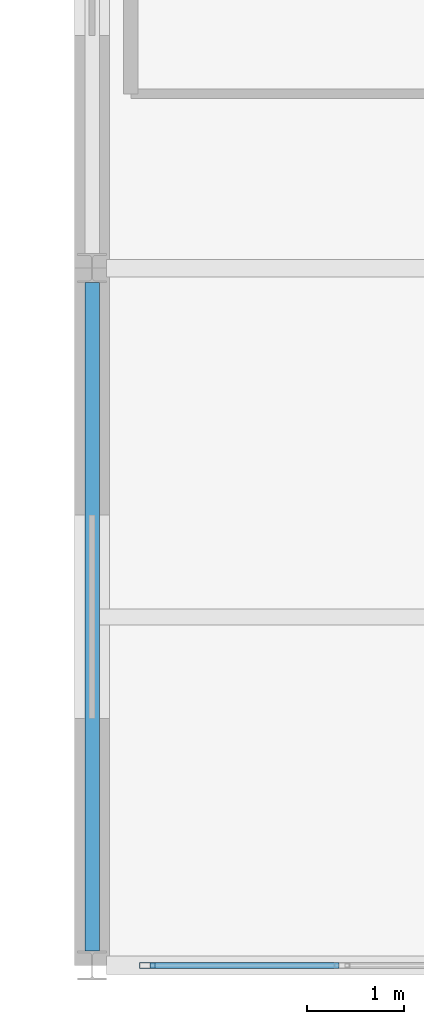
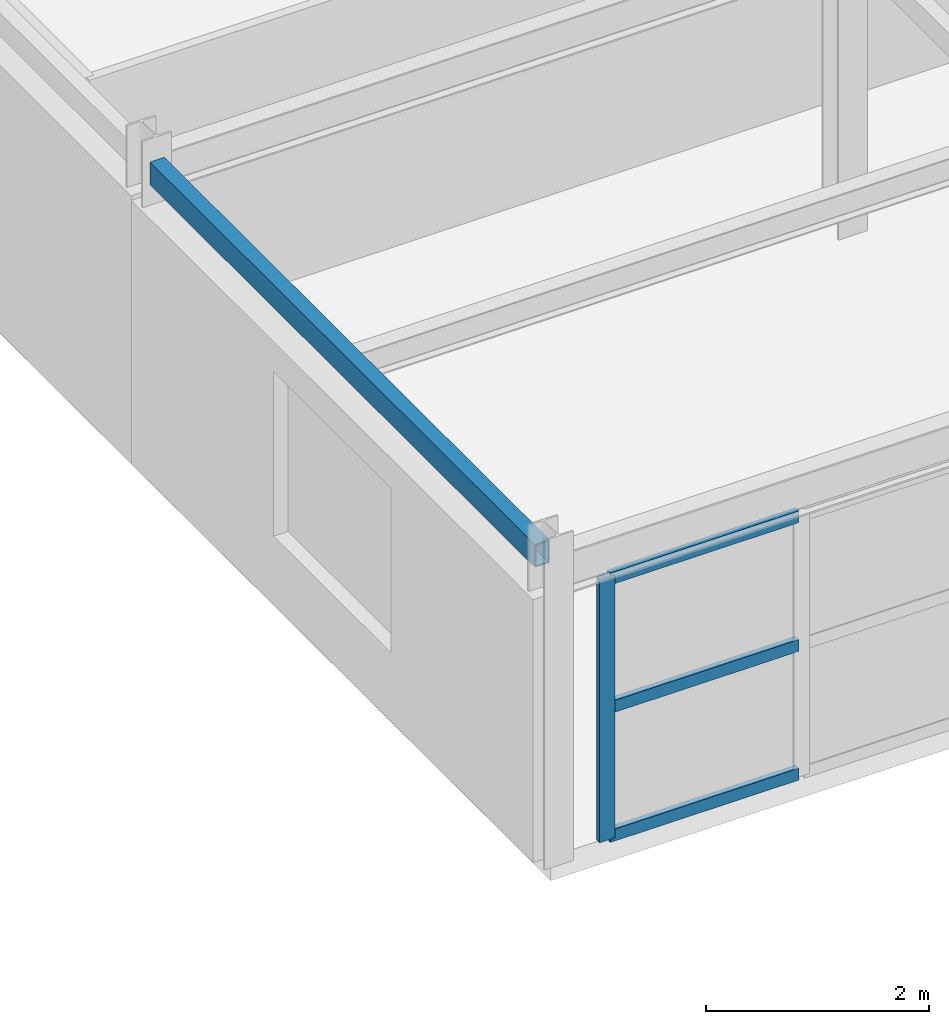
# One storey, part 21 of 73: 4 members, 1 beam, 1 element without a shape of its own.
"""IFC4 building model written with IfcOpenShell, lengths in metres."""

from ifc_helpers import new_model, si_unit, direction, frame, origin, origin_2d, place, context, subcontext, project, spatial, hollow_rectangle, extrude, material, layer, layer_set, material_profile, profile_set, type_object, element, aggregate, save


model = new_model("IFC4")

# Units and contexts
model_context = context("Model", 3, precision=1e-05, world=origin(), true_north=direction((0.0, 1.0)))
body_context = subcontext(model_context, "Body", "Model", "MODEL_VIEW")
ifc_project = project(units=[si_unit("LENGTHUNIT", "METRE"), si_unit("AREAUNIT", "SQUARE_METRE"), si_unit("VOLUMEUNIT", "CUBIC_METRE"), si_unit("PLANEANGLEUNIT", "RADIAN"), si_unit("MASSUNIT", "GRAM", prefix="KILO")], contexts=[model_context])

# Site, building, storey
site_placement = place(None, origin())
site = spatial("IfcSite", under=ifc_project, at=site_placement, CompositionType="ELEMENT")
building_placement = place(site_placement, origin())
building = spatial("IfcBuilding", under=site, at=building_placement, Name="Carrowvane Square Congress Hotel", CompositionType="ELEMENT")
storey_placement = place(building_placement, frame((0.0, 0.0, 19.199951171875)))
storey = spatial("IfcBuildingStorey", under=building, at=storey_placement, Name="L04", CompositionType="ELEMENT", Elevation=19.199951171875)

# Beam
ifc_material_1 = material(Name="Steel S355", Category="steel")
ifc_material_profile_1 = material_profile(ifc_material_1, hollow_rectangle(XDim=0.14990234375, YDim=0.25, WallThickness=0.012451171875, at=origin_2d()), Name="RHS 250x150x12.5")
ifc_profile_set_1 = profile_set([ifc_material_profile_1], Name="Steel S355")
beam_type = type_object("IfcBeamType", Name="BM-ST-RHS250", PredefinedType="SPANDREL", material=ifc_profile_set_1)
beam_placement = place(storey_placement, frame((126.800048828125, 55.949951171875, 3.22509765625), z_axis=(0.0, 1.0, 0.0), x_axis=(-1.0, 0.0, 0.0)))
element("IfcBeam", 1, at=beam_placement, inside=storey, type_object=beam_type, Name="L05 girder 17/H-J", PredefinedType="SPANDREL", context=body_context, shape_type="SweptSolid", body=[
    extrude(hollow_rectangle(XDim=0.14990234375, YDim=0.25, WallThickness=0.012451171875, at=origin_2d()), origin(), (0.0, 0.0, 1.0), 6.900146484375),
])

# Curtain wall, members
ifc_material_2 = material(Name="Anodised aluminium", Category="aluminium")
ifc_layer = layer(ifc_material_2, 0.18603515625)
ifc_layer_set = layer_set([ifc_layer], Name="Anodised aluminium")
curtain_wall_type = type_object("IfcCurtainWallType", Name="CW-SYS-3", PredefinedType="NOTDEFINED", material=ifc_layer_set)
curtain_wall_placement = place(storey_placement, origin())
curtain_wall = element("IfcCurtainWall", 2, at=curtain_wall_placement, inside=storey, type_object=curtain_wall_type, Name="L04 unitised curtain wall 306", PredefinedType="NOTDEFINED")
ifc_material_3 = material(Name="Anodised aluminium", Category="aluminium")
ifc_material_profile_2 = material_profile(ifc_material_3, hollow_rectangle(XDim=0.06005859375, YDim=0.159912109375, WallThickness=0.00390625, at=origin_2d()), Name="CW-ML 60x160x4")
ifc_profile_set_2 = profile_set([ifc_material_profile_2], Name="Anodised aluminium")
member_type_1 = type_object("IfcMemberType", Name="CW-MUL-1", PredefinedType="MULLION", material=ifc_profile_set_2)
member_1_placement = place(storey_placement, frame((127.3701171875, 55.800048828125, 0.0), z_axis=(0.0, 0.0, 1.0), x_axis=(0.0, -1.0, 0.0)))
member_1 = element("IfcMember", 3, at=member_1_placement, type_object=member_type_1, Name="CW-3 mullion 4", PredefinedType="MULLION", context=body_context, shape_type="SweptSolid", body=[
    extrude(hollow_rectangle(XDim=0.06005859375, YDim=0.159912109375, WallThickness=0.00390625, at=origin_2d()), origin(), (0.0, 0.0, 1.0), 2.875),
])
ifc_material_4 = material(Name="Anodised aluminium", Category="aluminium")
ifc_material_profile_3 = material_profile(ifc_material_4, hollow_rectangle(XDim=0.06005859375, YDim=0.1298828125, WallThickness=0.00390625, at=origin_2d()), Name="CW-TR 60x130x4")
ifc_profile_set_3 = profile_set([ifc_material_profile_3], Name="Anodised aluminium")
member_type_2 = type_object("IfcMemberType", Name="CW-TRN-1", PredefinedType="USERDEFINED", material=ifc_profile_set_3)
member_2_placement = place(storey_placement, frame((129.35009765625, 55.800048828125, 0.030029296875), z_axis=(-1.0, 0.0, 0.0), x_axis=(0.0, -1.0, 0.0)))
member_2 = element("IfcMember", 4, at=member_2_placement, type_object=member_type_2, Name="CW-3 transom 3.1", ObjectType="TRANSOM", PredefinedType="USERDEFINED", context=body_context, shape_type="SweptSolid", body=[
    extrude(hollow_rectangle(XDim=0.06005859375, YDim=0.1298828125, WallThickness=0.00390625, at=origin_2d()), origin(), (0.0, 0.0, 1.0), 1.9501953125),
])
member_3_placement = place(storey_placement, frame((129.35009765625, 55.800048828125, 1.4375), z_axis=(-1.0, 0.0, 0.0), x_axis=(0.0, -1.0, 0.0)))
member_3 = element("IfcMember", 5, at=member_3_placement, type_object=member_type_2, Name="CW-3 transom 3.2", ObjectType="TRANSOM", PredefinedType="USERDEFINED", context=body_context, shape_type="SweptSolid", body=[
    extrude(hollow_rectangle(XDim=0.06005859375, YDim=0.1298828125, WallThickness=0.00390625, at=origin_2d()), origin(), (0.0, 0.0, 1.0), 1.9501953125),
])
member_4_placement = place(storey_placement, frame((129.35009765625, 55.800048828125, 2.844970703125), z_axis=(-1.0, 0.0, 0.0), x_axis=(0.0, -1.0, 0.0)))
member_4 = element("IfcMember", 6, at=member_4_placement, type_object=member_type_2, Name="CW-3 transom 3.3", ObjectType="TRANSOM", PredefinedType="USERDEFINED", context=body_context, shape_type="SweptSolid", body=[
    extrude(hollow_rectangle(XDim=0.06005859375, YDim=0.1298828125, WallThickness=0.00390625, at=origin_2d()), origin(), (0.0, 0.0, 1.0), 1.9501953125),
])
aggregate(curtain_wall, [member_1, member_2, member_3, member_4])

save(model, "model.ifc")
